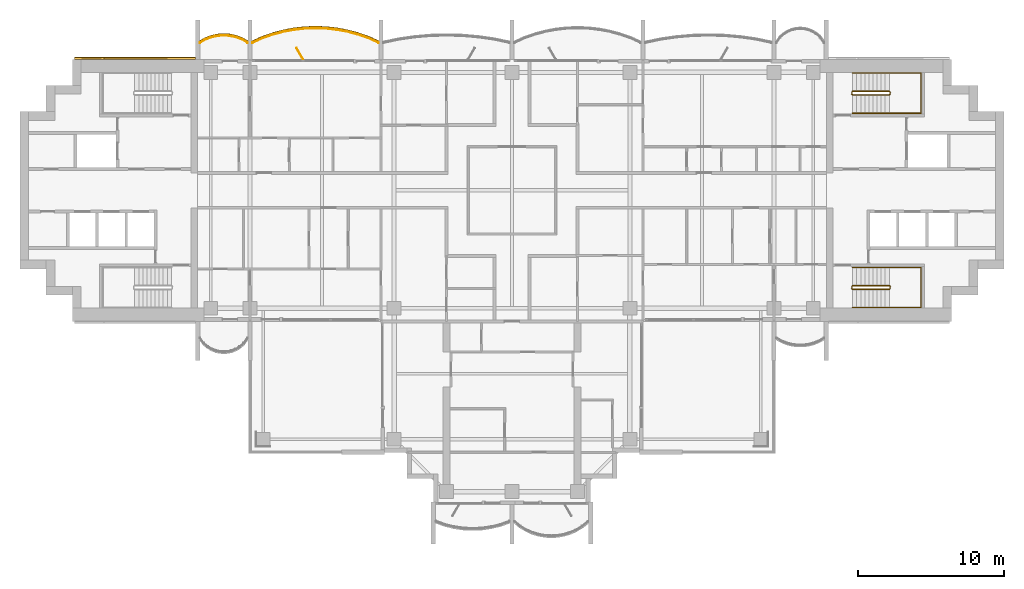
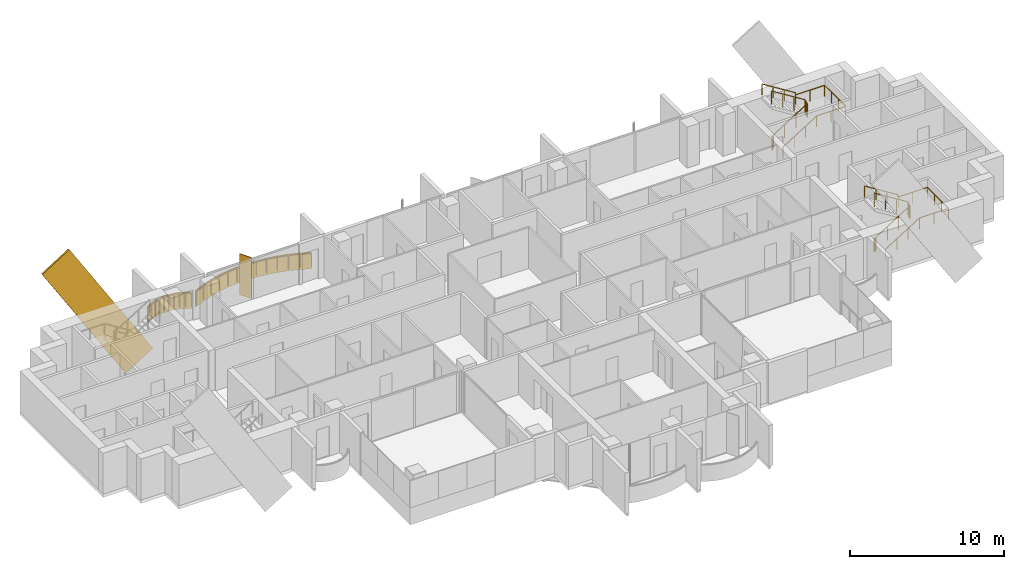
# One storey, part 16 of 17: 6 railings, 3 coverings, 1 shading device.
"""IFC4 building model written with IfcOpenShell, lengths in metres."""

from ifc_helpers import new_model, si_unit, direction, frame, origin, origin_2d, place, context, subcontext, project, spatial, polyline, rectangle, outline, extrude, material, layer, layer_set, material_profile, profile_set, type_object, element, save


model = new_model("IFC4")

# Units and contexts
model_context = context("Model", 3, precision=1e-05, world=origin(), true_north=direction((0.0, 1.0)))
body_context = subcontext(model_context, "Body", "Model", "MODEL_VIEW")
ifc_project = project(units=[si_unit("LENGTHUNIT", "METRE"), si_unit("AREAUNIT", "SQUARE_METRE"), si_unit("VOLUMEUNIT", "CUBIC_METRE"), si_unit("PLANEANGLEUNIT", "RADIAN"), si_unit("MASSUNIT", "GRAM", prefix="KILO")], contexts=[model_context])

# Site, building, storey
site_placement = place(None, origin())
site = spatial("IfcSite", under=ifc_project, at=site_placement, CompositionType="ELEMENT")
building_placement = place(site_placement, origin())
building = spatial("IfcBuilding", under=site, at=building_placement, Name="Perihelion Cross Residences", CompositionType="ELEMENT")
storey_placement = place(building_placement, frame((0.0, 0.0, 208.60009765625)))
storey = spatial("IfcBuildingStorey", under=building, at=storey_placement, Name="L52", CompositionType="ELEMENT", Elevation=208.60009765625)

# Coverings
ifc_material_1 = material(Name="Bronze anodised aluminium", Category="aluminium")
ifc_layer_1 = layer(ifc_material_1, 0.070068359375)
ifc_layer_set_1 = layer_set([ifc_layer_1], Name="Balcony fascia 1300")
covering_type_1 = type_object("IfcCoveringType", Name="Balcony fascia 1300", PredefinedType="CLADDING", material=ifc_layer_set_1)
covering_1_placement = place(storey_placement, frame((0.0, 0.0, -0.2001953125)))
element("IfcCovering", 1, at=covering_1_placement, inside=storey, type_object=covering_type_1, Name="Fascia BF1 L52 west side north bay 1", PredefinedType="CLADDING", context=body_context, shape_type="SweptSolid", body=[
    extrude(outline(polyline([(-9.849365234375, 10.582275390625), (-10.57958984375, 10.83544921875), (-11.309814453125, 11.028076171875), (-12.039794921875, 11.1630859375), (-12.77001953125, 11.243408203125), (-13.5, 11.27001953125), (-14.22998046875, 11.243408203125), (-14.960205078125, 11.1630859375), (-15.690185546875, 11.028076171875), (-16.42041015625, 10.83544921875), (-17.150634765625, 10.582275390625), (-17.85009765625, 10.2763671875), (-17.85009765625, 10.199951171875), (-17.125, 10.51708984375), (-16.39990234375, 10.7685546875), (-15.675048828125, 10.959716796875), (-14.949951171875, 11.093994140625), (-14.22509765625, 11.173583984375), (-13.5, 11.199951171875), (-12.77490234375, 11.173583984375), (-12.050048828125, 11.093994140625), (-11.324951171875, 10.959716796875), (-10.60009765625, 10.7685546875), (-9.875, 10.51708984375), (-9.14990234375, 10.199951171875), (-9.14990234375, 10.2763671875), (-9.849365234375, 10.582275390625)])), origin(), (0.0, 0.0, 1.0), 1.300048828125),
])
covering_2_placement = place(storey_placement, frame((0.0, 0.0, -0.2001953125)))
element("IfcCovering", 2, at=covering_2_placement, inside=storey, type_object=covering_type_1, Name="Fascia BF1 L52 west side north bay 2", PredefinedType="CLADDING", context=body_context, shape_type="SweptSolid", body=[
    extrude(outline(polyline([(-18.486328125, 10.4716796875), (-18.861572265625, 10.62158203125), (-19.237060546875, 10.717529296875), (-19.6123046875, 10.76416015625), (-19.987548828125, 10.76416015625), (-20.363037109375, 10.717529296875), (-20.73828125, 10.62158203125), (-21.11376953125, 10.4716796875), (-21.449951171875, 10.280517578125), (-21.449951171875, 10.199951171875), (-21.083251953125, 10.40869140625), (-20.716552734375, 10.55517578125), (-20.35009765625, 10.648681640625), (-19.9833984375, 10.6943359375), (-19.61669921875, 10.6943359375), (-19.25, 10.648681640625), (-18.88330078125, 10.55517578125), (-18.5166015625, 10.40869140625), (-18.14990234375, 10.199951171875), (-18.14990234375, 10.280517578125), (-18.486328125, 10.4716796875)])), origin(), (0.0, 0.0, 1.0), 1.300048828125),
])

# Railings
ifc_material_2 = material(Name="Bronze anodised aluminium", Category="aluminium")
railing_type_1 = type_object("IfcRailingType", Name="Balcony guard 1100", PredefinedType="GUARDRAIL", material=ifc_material_2)
railing_1_placement = place(storey_placement, frame((-9.175048828125, 10.139892578125, 0.0)))
element("IfcRailing", 3, at=railing_1_placement, inside=storey, type_object=railing_type_1, Name="Guard GU1 L52 west side north bay 1 balcony", PredefinedType="GUARDRAIL", context=body_context, shape_type="SweptSolid", body=[
    extrude(rectangle(XDim=0.048095703125, YDim=0.048095703125, at=origin_2d()), frame((0.0, 0.0, 1.076171875), z_axis=(-0.910866309087, 0.412701547089, 0.0), x_axis=(-0.412701547089, -0.910866309087, 0.0)), (0.0, 0.0, 1.0), 0.7685546875),
    extrude(rectangle(XDim=0.048095703125, YDim=0.048095703125, at=origin_2d()), frame((-0.699951171875, 0.317138671875, 1.076171875), z_axis=(-0.944796812452, 0.327656807012, 0.0), x_axis=(-0.327656807012, -0.944796812452, 0.0)), (0.0, 0.0, 1.0), 0.767578125),
    extrude(rectangle(XDim=0.048095703125, YDim=0.048095703125, at=origin_2d()), frame((-1.425048828125, 0.568603515625, 1.076171875), z_axis=(-0.966939404945, 0.255006249266, 0.0), x_axis=(-0.255006249266, -0.966939404945, 0.0)), (0.0, 0.0, 1.0), 0.749755859375),
    extrude(rectangle(XDim=0.048095703125, YDim=0.048095703125, at=origin_2d()), frame((-2.14990234375, 0.759765625, 1.076171875), z_axis=(-0.983282004984, 0.182089260182, 0.0), x_axis=(-0.182089260182, -0.983282004984, 0.0)), (0.0, 0.0, 1.0), 0.7373046875),
    extrude(rectangle(XDim=0.048095703125, YDim=0.048095703125, at=origin_2d()), frame((-2.875, 0.89404296875, 1.076171875), z_axis=(-0.994025805622, 0.109145305703, 0.0), x_axis=(-0.109145305703, -0.994025805622, 0.0)), (0.0, 0.0, 1.0), 0.729248046875),
    extrude(rectangle(XDim=0.048095703125, YDim=0.048095703125, at=origin_2d()), frame((-3.599853515625, 0.9736328125, 1.076171875), z_axis=(-0.999339497946, 0.036339618107, 0.0), x_axis=(-0.036339618107, -0.999339497946, 0.0)), (0.0, 0.0, 1.0), 0.7255859375),
    extrude(rectangle(XDim=0.048095703125, YDim=0.048095703125, at=origin_2d()), frame((-4.324951171875, 1.0, 1.076171875), z_axis=(-0.999339497946, -0.036339618107, 0.0), x_axis=(0.036339618107, -0.999339497946, 0.0)), (0.0, 0.0, 1.0), 0.7255859375),
    extrude(rectangle(XDim=0.048095703125, YDim=0.048095703125, at=origin_2d()), frame((-5.050048828125, 0.9736328125, 1.076171875), z_axis=(-0.994025805622, -0.109145305703, 0.0), x_axis=(0.109145305703, -0.994025805622, 0.0)), (0.0, 0.0, 1.0), 0.729248046875),
    extrude(rectangle(XDim=0.048095703125, YDim=0.048095703125, at=origin_2d()), frame((-5.77490234375, 0.89404296875, 1.076171875), z_axis=(-0.983282004984, -0.182089260182, 0.0), x_axis=(0.182089260182, -0.983282004984, 0.0)), (0.0, 0.0, 1.0), 0.7373046875),
    extrude(rectangle(XDim=0.048095703125, YDim=0.048095703125, at=origin_2d()), frame((-6.5, 0.759765625, 1.076171875), z_axis=(-0.966939404945, -0.255006249266, 0.0), x_axis=(0.255006249266, -0.966939404945, 0.0)), (0.0, 0.0, 1.0), 0.749755859375),
    extrude(rectangle(XDim=0.048095703125, YDim=0.048095703125, at=origin_2d()), frame((-7.224853515625, 0.568603515625, 1.076171875), z_axis=(-0.944796812452, -0.327656807012, 0.0), x_axis=(0.327656807012, -0.944796812452, 0.0)), (0.0, 0.0, 1.0), 0.767578125),
    extrude(rectangle(XDim=0.048095703125, YDim=0.048095703125, at=origin_2d()), frame((-7.949951171875, 0.317138671875, 1.076171875), z_axis=(-0.910866309087, -0.412701547089, 0.0), x_axis=(0.412701547089, -0.910866309087, 0.0)), (0.0, 0.0, 1.0), 0.7685546875),
    extrude(rectangle(XDim=0.0419921875, YDim=0.0419921875, at=origin_2d()), origin(), (0.0, 0.0, 1.0), 1.052001953125),
    extrude(rectangle(XDim=0.0419921875, YDim=0.0419921875, at=origin_2d()), frame((-0.699951171875, 0.317138671875, 0.0)), (0.0, 0.0, 1.0), 1.052001953125),
    extrude(rectangle(XDim=0.0419921875, YDim=0.0419921875, at=origin_2d()), frame((-1.425048828125, 0.568603515625, 0.0)), (0.0, 0.0, 1.0), 1.052001953125),
    extrude(rectangle(XDim=0.0419921875, YDim=0.0419921875, at=origin_2d()), frame((-2.14990234375, 0.759765625, 0.0)), (0.0, 0.0, 1.0), 1.052001953125),
    extrude(rectangle(XDim=0.0419921875, YDim=0.0419921875, at=origin_2d()), frame((-2.875, 0.89404296875, 0.0)), (0.0, 0.0, 1.0), 1.052001953125),
    extrude(rectangle(XDim=0.0419921875, YDim=0.0419921875, at=origin_2d()), frame((-3.599853515625, 0.9736328125, 0.0)), (0.0, 0.0, 1.0), 1.052001953125),
    extrude(rectangle(XDim=0.0419921875, YDim=0.0419921875, at=origin_2d()), frame((-4.324951171875, 1.0, 0.0)), (0.0, 0.0, 1.0), 1.052001953125),
    extrude(rectangle(XDim=0.0419921875, YDim=0.0419921875, at=origin_2d()), frame((-5.050048828125, 0.9736328125, 0.0)), (0.0, 0.0, 1.0), 1.052001953125),
    extrude(rectangle(XDim=0.0419921875, YDim=0.0419921875, at=origin_2d()), frame((-5.77490234375, 0.89404296875, 0.0)), (0.0, 0.0, 1.0), 1.052001953125),
    extrude(rectangle(XDim=0.0419921875, YDim=0.0419921875, at=origin_2d()), frame((-6.5, 0.759765625, 0.0)), (0.0, 0.0, 1.0), 1.052001953125),
    extrude(rectangle(XDim=0.0419921875, YDim=0.0419921875, at=origin_2d()), frame((-7.224853515625, 0.568603515625, 0.0)), (0.0, 0.0, 1.0), 1.052001953125),
    extrude(rectangle(XDim=0.0419921875, YDim=0.0419921875, at=origin_2d()), frame((-7.949951171875, 0.317138671875, 0.0)), (0.0, 0.0, 1.0), 1.052001953125),
    extrude(rectangle(XDim=0.0419921875, YDim=0.0419921875, at=origin_2d()), frame((-8.64990234375, 0.0, 0.0)), (0.0, 0.0, 1.0), 1.052001953125),
])
railing_2_placement = place(storey_placement, frame((-18.175048828125, 10.139892578125, 0.0)))
element("IfcRailing", 4, at=railing_2_placement, inside=storey, type_object=railing_type_1, Name="Guard GU1 L52 west side north bay 2 balcony", PredefinedType="GUARDRAIL", context=body_context, shape_type="SweptSolid", body=[
    extrude(rectangle(XDim=0.048095703125, YDim=0.048095703125, at=origin_2d()), frame((0.0, 0.0, 1.076171875), z_axis=(-0.853266756821, 0.52147467983, 0.0), x_axis=(-0.52147467983, -0.853266756821, 0.0)), (0.0, 0.0, 1.0), 0.400390625),
    extrude(rectangle(XDim=0.048095703125, YDim=0.048095703125, at=origin_2d()), frame((-0.341552734375, 0.208740234375, 1.076171875), z_axis=(-0.928647151248, 0.37096424151, 0.0), x_axis=(-0.37096424151, -0.928647151248, 0.0)), (0.0, 0.0, 1.0), 0.394775390625),
    extrude(rectangle(XDim=0.048095703125, YDim=0.048095703125, at=origin_2d()), frame((-0.708251953125, 0.355224609375, 1.076171875), z_axis=(-0.968993337782, 0.247086849781, 0.0), x_axis=(-0.247086849781, -0.968993337782, 0.0)), (0.0, 0.0, 1.0), 0.37841796875),
    extrude(rectangle(XDim=0.048095703125, YDim=0.048095703125, at=origin_2d()), frame((-1.074951171875, 0.44873046875, 1.076171875), z_axis=(-0.992338742457, 0.123546834114, 0.0), x_axis=(-0.123546834114, -0.992338742457, 0.0)), (0.0, 0.0, 1.0), 0.36962890625),
    extrude(rectangle(XDim=0.048095703125, YDim=0.048095703125, at=origin_2d()), frame((-1.441650390625, 0.494384765625, 1.076171875), z_axis=(-1.0, 0.0, 0.0), x_axis=(0.0, -1.0, 0.0)), (0.0, 0.0, 1.0), 0.36669921875),
    extrude(rectangle(XDim=0.048095703125, YDim=0.048095703125, at=origin_2d()), frame((-1.808349609375, 0.494384765625, 1.076171875), z_axis=(-0.992338742457, -0.123546834114, 0.0), x_axis=(0.123546834114, -0.992338742457, 0.0)), (0.0, 0.0, 1.0), 0.36962890625),
    extrude(rectangle(XDim=0.048095703125, YDim=0.048095703125, at=origin_2d()), frame((-2.175048828125, 0.44873046875, 1.076171875), z_axis=(-0.968953914071, -0.247241405123, 0.0), x_axis=(0.247241405123, -0.968953914071, 0.0)), (0.0, 0.0, 1.0), 0.378173828125),
    extrude(rectangle(XDim=0.048095703125, YDim=0.048095703125, at=origin_2d()), frame((-2.54150390625, 0.355224609375, 1.076171875), z_axis=(-0.928647151248, -0.37096424151, 0.0), x_axis=(0.37096424151, -0.928647151248, 0.0)), (0.0, 0.0, 1.0), 0.394775390625),
    extrude(rectangle(XDim=0.048095703125, YDim=0.048095703125, at=origin_2d()), frame((-2.908203125, 0.208740234375, 1.076171875), z_axis=(-0.853432484338, -0.521203410078, 0.0), x_axis=(0.521203410078, -0.853432484338, 0.0)), (0.0, 0.0, 1.0), 0.400390625),
    extrude(rectangle(XDim=0.0419921875, YDim=0.0419921875, at=origin_2d()), origin(), (0.0, 0.0, 1.0), 1.052001953125),
    extrude(rectangle(XDim=0.0419921875, YDim=0.0419921875, at=origin_2d()), frame((-0.341552734375, 0.208740234375, 0.0)), (0.0, 0.0, 1.0), 1.052001953125),
    extrude(rectangle(XDim=0.0419921875, YDim=0.0419921875, at=origin_2d()), frame((-0.708251953125, 0.355224609375, 0.0)), (0.0, 0.0, 1.0), 1.052001953125),
    extrude(rectangle(XDim=0.0419921875, YDim=0.0419921875, at=origin_2d()), frame((-1.074951171875, 0.44873046875, 0.0)), (0.0, 0.0, 1.0), 1.052001953125),
    extrude(rectangle(XDim=0.0419921875, YDim=0.0419921875, at=origin_2d()), frame((-1.441650390625, 0.494384765625, 0.0)), (0.0, 0.0, 1.0), 1.052001953125),
    extrude(rectangle(XDim=0.0419921875, YDim=0.0419921875, at=origin_2d()), frame((-1.808349609375, 0.494384765625, 0.0)), (0.0, 0.0, 1.0), 1.052001953125),
    extrude(rectangle(XDim=0.0419921875, YDim=0.0419921875, at=origin_2d()), frame((-2.175048828125, 0.44873046875, 0.0)), (0.0, 0.0, 1.0), 1.052001953125),
    extrude(rectangle(XDim=0.0419921875, YDim=0.0419921875, at=origin_2d()), frame((-2.54150390625, 0.355224609375, 0.0)), (0.0, 0.0, 1.0), 1.052001953125),
    extrude(rectangle(XDim=0.0419921875, YDim=0.0419921875, at=origin_2d()), frame((-2.908203125, 0.208740234375, 0.0)), (0.0, 0.0, 1.0), 1.052001953125),
    extrude(rectangle(XDim=0.0419921875, YDim=0.0419921875, at=origin_2d()), frame((-3.25, 0.0, 0.0)), (0.0, 0.0, 1.0), 1.052001953125),
])

# Covering
ifc_material_3 = material(Name="Bronze anodised aluminium", Category="aluminium")
ifc_material_profile = material_profile(ifc_material_3, rectangle(XDim=0.125, YDim=2.39990234375, at=origin_2d()), Name="Bronze cladding band 2400")
ifc_profile_set = profile_set([ifc_material_profile], Name="Bronze anodised aluminium")
covering_type_2 = type_object("IfcCoveringType", Name="Bronze cladding band 2400", PredefinedType="CLADDING", material=ifc_profile_set)
covering_3_placement = place(storey_placement, frame((-22.767578125, 9.0625, -1.996337890625), z_axis=(-0.529915403603, 0.0, 0.848050508534), x_axis=(0.0, -1.0, 0.0)))
element("IfcCovering", 5, at=covering_3_placement, inside=storey, type_object=covering_type_2, Name="Core cladding band, west core", PredefinedType="CLADDING", context=body_context, shape_type="SweptSolid", body=[
    extrude(rectangle(XDim=0.125, YDim=2.39990234375, at=origin_2d()), origin(), (0.0, 0.0, 1.0), 11.822021484375),
])

# Shading device
ifc_material_4 = material(Name="Bronze anodised aluminium", Category="aluminium")
ifc_layer_2 = layer(ifc_material_4, 0.050048828125)
ifc_layer_set_2 = layer_set([ifc_layer_2], Name="Bronze fin 900")
shading_device_type = type_object("IfcShadingDeviceType", Name="Bronze fin 900", PredefinedType="USERDEFINED", material=ifc_layer_set_2)
shading_device_placement = place(storey_placement, frame((-14.574951171875, 9.3896484375, 0.0), z_axis=(0.0, 0.0, 1.0), x_axis=(-0.5, 0.866025403784, 0.0)))
element("IfcShadingDevice", 6, at=shading_device_placement, inside=storey, type_object=shading_device_type, Name="Fin FN1 L52 west side north bay 1", ObjectType="FIN", PredefinedType="USERDEFINED", context=body_context, shape_type="SweptSolid", body=[
    extrude(rectangle(XDim=0.89990234375, YDim=0.050048828125, at=origin_2d()), origin(), (0.0, 0.0, 1.0), 3.25),
])

# Railings
ifc_material_5 = material(Name="Stainless steel", Category="steel")
railing_type_2 = type_object("IfcRailingType", Name="Stair guard 1100", PredefinedType="GUARDRAIL", material=ifc_material_5)
railing_3_placement = place(storey_placement, frame((23.35009765625, 6.75, 0.0)))
element("IfcRailing", 7, at=railing_3_placement, inside=storey, type_object=railing_type_2, Name="L52 ST-E1 stair guard 1", PredefinedType="GUARDRAIL", context=body_context, shape_type="SweptSolid", body=[
    extrude(rectangle(XDim=0.048095703125, YDim=0.048095703125, at=origin_2d()), frame((0.0, 0.0, 1.076171875), z_axis=(0.0, -1.0, 0.0), x_axis=(1.0, 0.0, 0.0)), (0.0, 0.0, 1.0), 0.14990234375),
    extrude(rectangle(XDim=0.048095703125, YDim=0.048095703125, at=origin_2d()), frame((0.0, -0.14990234375, 1.076171875), z_axis=(0.264179342666, -0.265474339444, 0.927217692888), x_axis=(0.708833529934, 0.705375805398, 0.0)), (0.0, 0.0, 1.0), 0.1884765625),
    extrude(rectangle(XDim=0.048095703125, YDim=0.048095703125, at=origin_2d()), frame((0.0498046875, -0.199951171875, 1.2509765625), z_axis=(0.847970611238, 0.0, 0.530043245855), x_axis=(0.0, 1.0, 0.0)), (0.0, 0.0, 1.0), 2.971923828125),
    extrude(rectangle(XDim=0.048095703125, YDim=0.048095703125, at=origin_2d()), frame((2.56982421875, -0.199951171875, 2.826171875), z_axis=(0.707106781187, 0.707106781187, 0.0), x_axis=(-0.707106781187, 0.707106781187, 0.0)), (0.0, 0.0, 1.0), 0.07080078125),
    extrude(rectangle(XDim=0.048095703125, YDim=0.048095703125, at=origin_2d()), frame((2.619873046875, -0.14990234375, 2.826171875), z_axis=(0.0, 1.0, 0.0), x_axis=(-1.0, 0.0, 0.0)), (0.0, 0.0, 1.0), 0.14990234375),
    extrude(rectangle(XDim=0.048095703125, YDim=0.048095703125, at=origin_2d()), frame((2.619873046875, 0.0, 2.826171875), z_axis=(-0.265383341853, 0.265383341853, 0.926899867156), x_axis=(-0.707106781187, -0.707106781187, 0.0)), (0.0, 0.0, 1.0), 0.1884765625),
    extrude(rectangle(XDim=0.048095703125, YDim=0.048095703125, at=origin_2d()), frame((2.56982421875, 0.050048828125, 3.0009765625), z_axis=(-0.847970611238, 0.0, 0.530043245855), x_axis=(0.0, -1.0, 0.0)), (0.0, 0.0, 1.0), 2.971923828125),
    extrude(rectangle(XDim=0.0419921875, YDim=0.0419921875, at=origin_2d()), origin(), (0.0, 0.0, 1.0), 1.052001953125),
    extrude(rectangle(XDim=0.0419921875, YDim=0.0419921875, at=origin_2d()), frame((0.0, -0.14990234375, 0.0)), (0.0, 0.0, 1.0), 1.052001953125),
    extrude(rectangle(XDim=0.0419921875, YDim=0.0419921875, at=origin_2d()), frame((0.0498046875, -0.199951171875, 0.1748046875)), (0.0, 0.0, 1.0), 1.052001953125),
    extrude(rectangle(XDim=0.0419921875, YDim=0.0419921875, at=origin_2d()), frame((0.889892578125, -0.199951171875, 0.699951171875)), (0.0, 0.0, 1.0), 1.052001953125),
    extrude(rectangle(XDim=0.0419921875, YDim=0.0419921875, at=origin_2d()), frame((1.729736328125, -0.199951171875, 1.224853515625)), (0.0, 0.0, 1.0), 1.052001953125),
    extrude(rectangle(XDim=0.0419921875, YDim=0.0419921875, at=origin_2d()), frame((2.56982421875, -0.199951171875, 1.75)), (0.0, 0.0, 1.0), 1.052001953125),
    extrude(rectangle(XDim=0.0419921875, YDim=0.0419921875, at=origin_2d()), frame((2.619873046875, -0.14990234375, 1.75)), (0.0, 0.0, 1.0), 1.052001953125),
    extrude(rectangle(XDim=0.0419921875, YDim=0.0419921875, at=origin_2d()), frame((2.619873046875, 0.0, 1.75)), (0.0, 0.0, 1.0), 1.052001953125),
    extrude(rectangle(XDim=0.0419921875, YDim=0.0419921875, at=origin_2d()), frame((2.56982421875, 0.050048828125, 1.9248046875)), (0.0, 0.0, 1.0), 1.052001953125),
    extrude(rectangle(XDim=0.0419921875, YDim=0.0419921875, at=origin_2d()), frame((1.729736328125, 0.050048828125, 2.449951171875)), (0.0, 0.0, 1.0), 1.052001953125),
    extrude(rectangle(XDim=0.0419921875, YDim=0.0419921875, at=origin_2d()), frame((0.889892578125, 0.050048828125, 2.974853515625)), (0.0, 0.0, 1.0), 1.052001953125),
    extrude(rectangle(XDim=0.0419921875, YDim=0.0419921875, at=origin_2d()), frame((0.0498046875, 0.050048828125, 3.5)), (0.0, 0.0, 1.0), 1.052001953125),
])
railing_4_placement = place(storey_placement, frame((23.35009765625, -6.60009765625, 0.0)))
element("IfcRailing", 8, at=railing_4_placement, inside=storey, type_object=railing_type_2, Name="L52 ST-E2 stair guard 1", PredefinedType="GUARDRAIL", context=body_context, shape_type="SweptSolid", body=[
    extrude(rectangle(XDim=0.048095703125, YDim=0.048095703125, at=origin_2d()), frame((0.0, 0.0, 1.076171875), z_axis=(0.0, -1.0, 0.0), x_axis=(1.0, 0.0, 0.0)), (0.0, 0.0, 1.0), 0.14990234375),
    extrude(rectangle(XDim=0.048095703125, YDim=0.048095703125, at=origin_2d()), frame((0.0, -0.14990234375, 1.076171875), z_axis=(0.264179342666, -0.265474339444, 0.927217692888), x_axis=(0.708833529934, 0.705375805398, 0.0)), (0.0, 0.0, 1.0), 0.1884765625),
    extrude(rectangle(XDim=0.048095703125, YDim=0.048095703125, at=origin_2d()), frame((0.0498046875, -0.199951171875, 1.2509765625), z_axis=(0.847970611238, 0.0, 0.530043245855), x_axis=(0.0, 1.0, 0.0)), (0.0, 0.0, 1.0), 2.971923828125),
    extrude(rectangle(XDim=0.048095703125, YDim=0.048095703125, at=origin_2d()), frame((2.56982421875, -0.199951171875, 2.826171875), z_axis=(0.707106781187, 0.707106781187, 0.0), x_axis=(-0.707106781187, 0.707106781187, 0.0)), (0.0, 0.0, 1.0), 0.07080078125),
    extrude(rectangle(XDim=0.048095703125, YDim=0.048095703125, at=origin_2d()), frame((2.619873046875, -0.14990234375, 2.826171875), z_axis=(0.0, 1.0, 0.0), x_axis=(-1.0, 0.0, 0.0)), (0.0, 0.0, 1.0), 0.14990234375),
    extrude(rectangle(XDim=0.048095703125, YDim=0.048095703125, at=origin_2d()), frame((2.619873046875, 0.0, 2.826171875), z_axis=(-0.265383341853, 0.265383341853, 0.926899867156), x_axis=(-0.707106781187, -0.707106781187, 0.0)), (0.0, 0.0, 1.0), 0.1884765625),
    extrude(rectangle(XDim=0.048095703125, YDim=0.048095703125, at=origin_2d()), frame((2.56982421875, 0.050048828125, 3.0009765625), z_axis=(-0.847970611238, 0.0, 0.530043245855), x_axis=(0.0, -1.0, 0.0)), (0.0, 0.0, 1.0), 2.971923828125),
    extrude(rectangle(XDim=0.0419921875, YDim=0.0419921875, at=origin_2d()), origin(), (0.0, 0.0, 1.0), 1.052001953125),
    extrude(rectangle(XDim=0.0419921875, YDim=0.0419921875, at=origin_2d()), frame((0.0, -0.14990234375, 0.0)), (0.0, 0.0, 1.0), 1.052001953125),
    extrude(rectangle(XDim=0.0419921875, YDim=0.0419921875, at=origin_2d()), frame((0.0498046875, -0.199951171875, 0.1748046875)), (0.0, 0.0, 1.0), 1.052001953125),
    extrude(rectangle(XDim=0.0419921875, YDim=0.0419921875, at=origin_2d()), frame((0.889892578125, -0.199951171875, 0.699951171875)), (0.0, 0.0, 1.0), 1.052001953125),
    extrude(rectangle(XDim=0.0419921875, YDim=0.0419921875, at=origin_2d()), frame((1.729736328125, -0.199951171875, 1.224853515625)), (0.0, 0.0, 1.0), 1.052001953125),
    extrude(rectangle(XDim=0.0419921875, YDim=0.0419921875, at=origin_2d()), frame((2.56982421875, -0.199951171875, 1.75)), (0.0, 0.0, 1.0), 1.052001953125),
    extrude(rectangle(XDim=0.0419921875, YDim=0.0419921875, at=origin_2d()), frame((2.619873046875, -0.14990234375, 1.75)), (0.0, 0.0, 1.0), 1.052001953125),
    extrude(rectangle(XDim=0.0419921875, YDim=0.0419921875, at=origin_2d()), frame((2.619873046875, 0.0, 1.75)), (0.0, 0.0, 1.0), 1.052001953125),
    extrude(rectangle(XDim=0.0419921875, YDim=0.0419921875, at=origin_2d()), frame((2.56982421875, 0.050048828125, 1.9248046875)), (0.0, 0.0, 1.0), 1.052001953125),
    extrude(rectangle(XDim=0.0419921875, YDim=0.0419921875, at=origin_2d()), frame((1.729736328125, 0.050048828125, 2.449951171875)), (0.0, 0.0, 1.0), 1.052001953125),
    extrude(rectangle(XDim=0.0419921875, YDim=0.0419921875, at=origin_2d()), frame((0.889892578125, 0.050048828125, 2.974853515625)), (0.0, 0.0, 1.0), 1.052001953125),
    extrude(rectangle(XDim=0.0419921875, YDim=0.0419921875, at=origin_2d()), frame((0.0498046875, 0.050048828125, 3.5)), (0.0, 0.0, 1.0), 1.052001953125),
])
ifc_material_6 = material(Name="Stainless steel", Category="steel")
railing_type_3 = type_object("IfcRailingType", Name="Stair handrail 900", PredefinedType="HANDRAIL", material=ifc_material_6)
railing_5_placement = place(storey_placement, frame((23.39990234375, 5.300048828125, 0.1748046875)))
element("IfcRailing", 9, at=railing_5_placement, inside=storey, type_object=railing_type_3, Name="L52 ST-E1 stair handrail 1", PredefinedType="HANDRAIL", context=body_context, shape_type="SweptSolid", body=[
    extrude(rectangle(XDim=0.048095703125, YDim=0.048095703125, at=origin_2d()), frame((0.0, 0.0, 0.8759765625), z_axis=(0.847970611238, 0.0, 0.530043245855), x_axis=(0.0, 1.0, 0.0)), (0.0, 0.0, 1.0), 2.971923828125),
    extrude(rectangle(XDim=0.048095703125, YDim=0.048095703125, at=origin_2d()), frame((2.52001953125, 0.0, 2.451171875), z_axis=(1.0, 0.0, 0.0), x_axis=(0.0, 1.0, 0.0)), (0.0, 0.0, 1.0), 2.18017578125),
    extrude(rectangle(XDim=0.048095703125, YDim=0.048095703125, at=origin_2d()), frame((4.7001953125, 0.0, 2.451171875), z_axis=(0.0, 1.0, 0.0), x_axis=(-1.0, 0.0, 0.0)), (0.0, 0.0, 1.0), 2.75),
    extrude(rectangle(XDim=0.048095703125, YDim=0.048095703125, at=origin_2d()), frame((4.7001953125, 2.75, 2.451171875), z_axis=(-1.0, 0.0, 0.0), x_axis=(0.0, -1.0, 0.0)), (0.0, 0.0, 1.0), 2.18017578125),
    extrude(rectangle(XDim=0.048095703125, YDim=0.048095703125, at=origin_2d()), frame((2.52001953125, 2.75, 2.451171875), z_axis=(0.0, 0.0, 1.0), x_axis=(1.0, 0.0, 0.0)), (0.0, 0.0, 1.0), 0.1748046875),
    extrude(rectangle(XDim=0.048095703125, YDim=0.048095703125, at=origin_2d()), frame((2.52001953125, 2.75, 2.6259765625), z_axis=(-0.847970611238, 0.0, 0.530043245855), x_axis=(0.0, -1.0, 0.0)), (0.0, 0.0, 1.0), 2.971923828125),
    extrude(rectangle(XDim=0.0419921875, YDim=0.0419921875, at=origin_2d()), origin(), (0.0, 0.0, 1.0), 0.851806640625),
    extrude(rectangle(XDim=0.0419921875, YDim=0.0419921875, at=origin_2d()), frame((0.840087890625, 0.0, 0.525146484375)), (0.0, 0.0, 1.0), 0.851806640625),
    extrude(rectangle(XDim=0.0419921875, YDim=0.0419921875, at=origin_2d()), frame((1.679931640625, 0.0, 1.050048828125)), (0.0, 0.0, 1.0), 0.851806640625),
    extrude(rectangle(XDim=0.0419921875, YDim=0.0419921875, at=origin_2d()), frame((2.52001953125, 0.0, 1.5751953125)), (0.0, 0.0, 1.0), 0.851806640625),
    extrude(rectangle(XDim=0.0419921875, YDim=0.0419921875, at=origin_2d()), frame((3.610107421875, 0.0, 1.5751953125)), (0.0, 0.0, 1.0), 0.851806640625),
    extrude(rectangle(XDim=0.0419921875, YDim=0.0419921875, at=origin_2d()), frame((4.7001953125, 0.0, 1.5751953125)), (0.0, 0.0, 1.0), 0.851806640625),
    extrude(rectangle(XDim=0.0419921875, YDim=0.0419921875, at=origin_2d()), frame((4.7001953125, 0.916748046875, 1.5751953125)), (0.0, 0.0, 1.0), 0.851806640625),
    extrude(rectangle(XDim=0.0419921875, YDim=0.0419921875, at=origin_2d()), frame((4.7001953125, 1.833251953125, 1.5751953125)), (0.0, 0.0, 1.0), 0.851806640625),
    extrude(rectangle(XDim=0.0419921875, YDim=0.0419921875, at=origin_2d()), frame((4.7001953125, 2.75, 1.5751953125)), (0.0, 0.0, 1.0), 0.851806640625),
    extrude(rectangle(XDim=0.0419921875, YDim=0.0419921875, at=origin_2d()), frame((3.610107421875, 2.75, 1.5751953125)), (0.0, 0.0, 1.0), 0.851806640625),
    extrude(rectangle(XDim=0.0419921875, YDim=0.0419921875, at=origin_2d()), frame((2.52001953125, 2.75, 1.5751953125)), (0.0, 0.0, 1.0), 0.851806640625),
    extrude(rectangle(XDim=0.0419921875, YDim=0.0419921875, at=origin_2d()), frame((2.52001953125, 2.75, 1.75)), (0.0, 0.0, 1.0), 0.851806640625),
    extrude(rectangle(XDim=0.0419921875, YDim=0.0419921875, at=origin_2d()), frame((1.679931640625, 2.75, 2.275146484375)), (0.0, 0.0, 1.0), 0.851806640625),
    extrude(rectangle(XDim=0.0419921875, YDim=0.0419921875, at=origin_2d()), frame((0.840087890625, 2.75, 2.800048828125)), (0.0, 0.0, 1.0), 0.851806640625),
    extrude(rectangle(XDim=0.0419921875, YDim=0.0419921875, at=origin_2d()), frame((0.0, 2.75, 3.3251953125)), (0.0, 0.0, 1.0), 0.851806640625),
])
railing_6_placement = place(storey_placement, frame((23.39990234375, -8.050048828125, 0.1748046875)))
element("IfcRailing", 10, at=railing_6_placement, inside=storey, type_object=railing_type_3, Name="L52 ST-E2 stair handrail 1", PredefinedType="HANDRAIL", context=body_context, shape_type="SweptSolid", body=[
    extrude(rectangle(XDim=0.048095703125, YDim=0.048095703125, at=origin_2d()), frame((0.0, 0.0, 0.8759765625), z_axis=(0.847970611238, 0.0, 0.530043245855), x_axis=(0.0, 1.0, 0.0)), (0.0, 0.0, 1.0), 2.971923828125),
    extrude(rectangle(XDim=0.048095703125, YDim=0.048095703125, at=origin_2d()), frame((2.52001953125, 0.0, 2.451171875), z_axis=(1.0, 0.0, 0.0), x_axis=(0.0, 1.0, 0.0)), (0.0, 0.0, 1.0), 2.18017578125),
    extrude(rectangle(XDim=0.048095703125, YDim=0.048095703125, at=origin_2d()), frame((4.7001953125, 0.0, 2.451171875), z_axis=(0.0, 1.0, 0.0), x_axis=(-1.0, 0.0, 0.0)), (0.0, 0.0, 1.0), 2.75),
    extrude(rectangle(XDim=0.048095703125, YDim=0.048095703125, at=origin_2d()), frame((4.7001953125, 2.75, 2.451171875), z_axis=(-1.0, 0.0, 0.0), x_axis=(0.0, -1.0, 0.0)), (0.0, 0.0, 1.0), 2.18017578125),
    extrude(rectangle(XDim=0.048095703125, YDim=0.048095703125, at=origin_2d()), frame((2.52001953125, 2.75, 2.451171875), z_axis=(0.0, 0.0, 1.0), x_axis=(1.0, 0.0, 0.0)), (0.0, 0.0, 1.0), 0.1748046875),
    extrude(rectangle(XDim=0.048095703125, YDim=0.048095703125, at=origin_2d()), frame((2.52001953125, 2.75, 2.6259765625), z_axis=(-0.847970611238, 0.0, 0.530043245855), x_axis=(0.0, -1.0, 0.0)), (0.0, 0.0, 1.0), 2.971923828125),
    extrude(rectangle(XDim=0.0419921875, YDim=0.0419921875, at=origin_2d()), origin(), (0.0, 0.0, 1.0), 0.851806640625),
    extrude(rectangle(XDim=0.0419921875, YDim=0.0419921875, at=origin_2d()), frame((0.840087890625, 0.0, 0.525146484375)), (0.0, 0.0, 1.0), 0.851806640625),
    extrude(rectangle(XDim=0.0419921875, YDim=0.0419921875, at=origin_2d()), frame((1.679931640625, 0.0, 1.050048828125)), (0.0, 0.0, 1.0), 0.851806640625),
    extrude(rectangle(XDim=0.0419921875, YDim=0.0419921875, at=origin_2d()), frame((2.52001953125, 0.0, 1.5751953125)), (0.0, 0.0, 1.0), 0.851806640625),
    extrude(rectangle(XDim=0.0419921875, YDim=0.0419921875, at=origin_2d()), frame((3.610107421875, 0.0, 1.5751953125)), (0.0, 0.0, 1.0), 0.851806640625),
    extrude(rectangle(XDim=0.0419921875, YDim=0.0419921875, at=origin_2d()), frame((4.7001953125, 0.0, 1.5751953125)), (0.0, 0.0, 1.0), 0.851806640625),
    extrude(rectangle(XDim=0.0419921875, YDim=0.0419921875, at=origin_2d()), frame((4.7001953125, 0.916748046875, 1.5751953125)), (0.0, 0.0, 1.0), 0.851806640625),
    extrude(rectangle(XDim=0.0419921875, YDim=0.0419921875, at=origin_2d()), frame((4.7001953125, 1.833251953125, 1.5751953125)), (0.0, 0.0, 1.0), 0.851806640625),
    extrude(rectangle(XDim=0.0419921875, YDim=0.0419921875, at=origin_2d()), frame((4.7001953125, 2.75, 1.5751953125)), (0.0, 0.0, 1.0), 0.851806640625),
    extrude(rectangle(XDim=0.0419921875, YDim=0.0419921875, at=origin_2d()), frame((3.610107421875, 2.75, 1.5751953125)), (0.0, 0.0, 1.0), 0.851806640625),
    extrude(rectangle(XDim=0.0419921875, YDim=0.0419921875, at=origin_2d()), frame((2.52001953125, 2.75, 1.5751953125)), (0.0, 0.0, 1.0), 0.851806640625),
    extrude(rectangle(XDim=0.0419921875, YDim=0.0419921875, at=origin_2d()), frame((2.52001953125, 2.75, 1.75)), (0.0, 0.0, 1.0), 0.851806640625),
    extrude(rectangle(XDim=0.0419921875, YDim=0.0419921875, at=origin_2d()), frame((1.679931640625, 2.75, 2.275146484375)), (0.0, 0.0, 1.0), 0.851806640625),
    extrude(rectangle(XDim=0.0419921875, YDim=0.0419921875, at=origin_2d()), frame((0.840087890625, 2.75, 2.800048828125)), (0.0, 0.0, 1.0), 0.851806640625),
    extrude(rectangle(XDim=0.0419921875, YDim=0.0419921875, at=origin_2d()), frame((0.0, 2.75, 3.3251953125)), (0.0, 0.0, 1.0), 0.851806640625),
])

save(model, "model.ifc")
